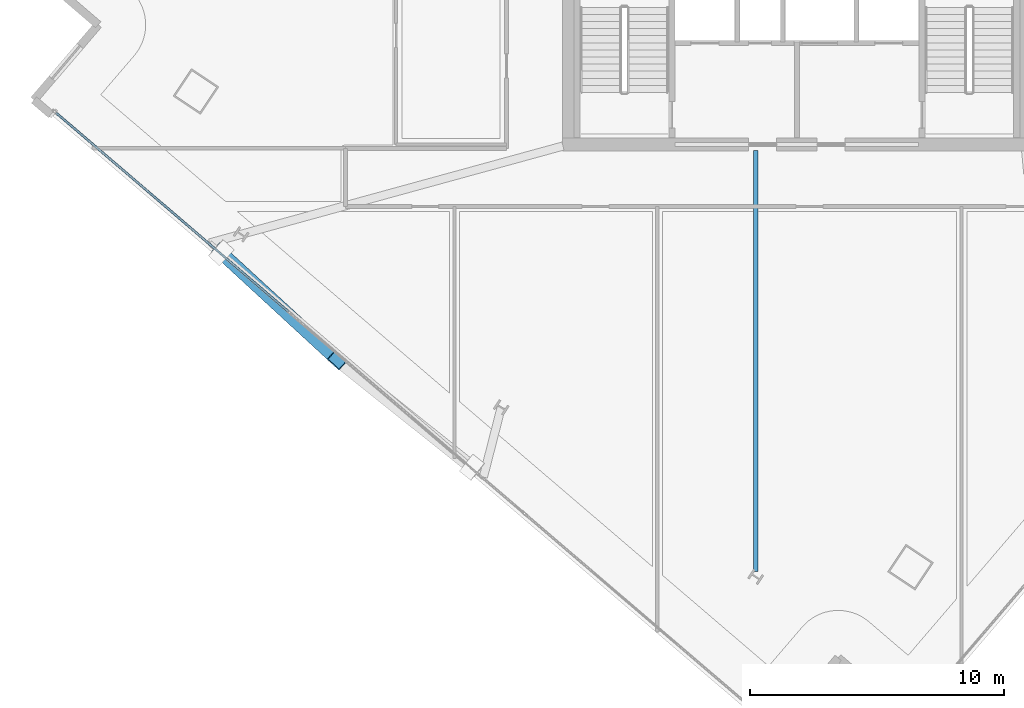
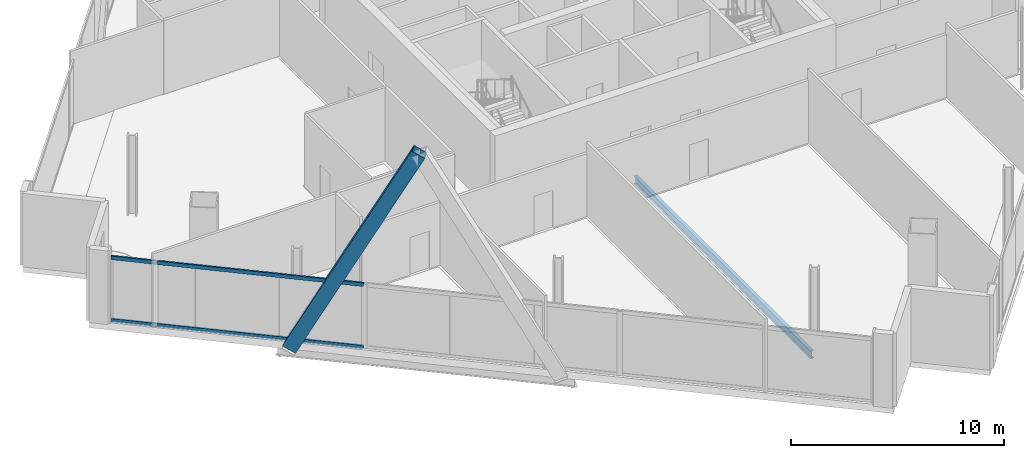
# One storey, part 3 of 26: 3 members, 1 beam, 1 element without a shape of its own.
"""IFC4 building model written with IfcOpenShell, lengths in metres."""

from ifc_helpers import new_model, si_unit, direction, frame, origin, origin_2d, place, context, subcontext, project, spatial, hollow_rectangle, i_section, extrude, material, material_profile, profile_set, type_object, element, aggregate, save


model = new_model("IFC4")

# Units and contexts
model_context = context("Model", 3, precision=1e-05, world=origin(), true_north=direction((0.0, 1.0)))
body_context = subcontext(model_context, "Body", "Model", "MODEL_VIEW")
ifc_project = project(units=[si_unit("LENGTHUNIT", "METRE"), si_unit("AREAUNIT", "SQUARE_METRE"), si_unit("VOLUMEUNIT", "CUBIC_METRE"), si_unit("PLANEANGLEUNIT", "RADIAN"), si_unit("MASSUNIT", "GRAM", prefix="KILO")], contexts=[model_context])

# Site, building, storey
site_placement = place(None, origin())
site = spatial("IfcSite", under=ifc_project, at=site_placement, CompositionType="ELEMENT")
building_placement = place(site_placement, origin())
building = spatial("IfcBuilding", under=site, at=building_placement, Name="Haldenkirk Collegiate Tower", CompositionType="ELEMENT")
storey_placement = place(building_placement, frame((0.0, 0.0, 193.949951171875)))
storey = spatial("IfcBuildingStorey", under=building, at=storey_placement, Name="L48", CompositionType="ELEMENT", Elevation=193.949951171875)

# Beam
ifc_material_1 = material(Name="Steel ASTM A992 Grade 50", Category="steel")
ifc_material_profile_1 = material_profile(ifc_material_1, i_section(OverallWidth=0.18994140625, OverallDepth=0.45703125, WebThickness=0.009033203125, FlangeThickness=0.014404296875, at=origin_2d()), Name="W18X50")
ifc_profile_set_1 = profile_set([ifc_material_profile_1], Name="Steel ASTM A992 Grade 50")
beam_type = type_object("IfcBeamType", Name="BM-JOIST-W18X50", PredefinedType="JOIST", material=ifc_profile_set_1)
beam_placement = place(storey_placement, frame((34.376708984375, 1.16943359375, -0.638427734375), z_axis=(0.0, 1.0, 0.0), x_axis=(-1.0, 0.0, 0.0)))
element("IfcBeam", 1, at=beam_placement, inside=storey, type_object=beam_type, Name="L48 composite floor joist 16", PredefinedType="JOIST", context=body_context, shape_type="SweptSolid", body=[
    extrude(i_section(OverallWidth=0.18994140625, OverallDepth=0.45703125, WebThickness=0.009033203125, FlangeThickness=0.014404296875, at=origin_2d()), origin(), (0.0, 0.0, 1.0), 16.6005859375),
])

# Curtain wall, members
ifc_material_2 = material(Name="Anodised architectural bronze aluminium", Category="aluminium")
curtain_wall_type = type_object("IfcCurtainWallType", Name="CW-SYS4-SKYGARDEN", PredefinedType="USERDEFINED", material=ifc_material_2)
curtain_wall_placement = place(storey_placement, origin())
curtain_wall = element("IfcCurtainWall", 2, at=curtain_wall_placement, inside=storey, type_object=curtain_wall_type, Name="L48 Sky-garden tall bronze curtain wall", ObjectType="UNITISED CURTAIN WALL", PredefinedType="USERDEFINED")
ifc_material_profile_2 = material_profile(ifc_material_2, hollow_rectangle(XDim=0.090087890625, YDim=0.2099609375, WallThickness=0.0048828125, at=origin_2d()), Name="CW-TRN-04")
ifc_profile_set_2 = profile_set([ifc_material_profile_2], Name="Anodised architectural bronze aluminium")
member_type_1 = type_object("IfcMemberType", Name="CW-TRN-04", PredefinedType="USERDEFINED", material=ifc_profile_set_2)
member_1_placement = place(storey_placement, frame((15.9541015625, 11.407470703125, 0.045166015625), z_axis=(-0.759833365393, 0.650117879184, 0.0), x_axis=(-0.650117879184, -0.759833365393, 0.0)))
member_1 = element("IfcMember", 3, at=member_1_placement, type_object=member_type_1, Name="CW-04 transom 3.1", ObjectType="TRANSOM", PredefinedType="USERDEFINED", context=body_context, shape_type="SweptSolid", body=[
    extrude(hollow_rectangle(XDim=0.090087890625, YDim=0.2099609375, WallThickness=0.0048828125, at=origin_2d()), origin(), (0.0, 0.0, 1.0), 12.065185546875),
])
member_2_placement = place(storey_placement, frame((15.9541015625, 11.407470703125, 3.633056640625), z_axis=(-0.759833365393, 0.650117879184, 0.0), x_axis=(-0.650117879184, -0.759833365393, 0.0)))
member_2 = element("IfcMember", 4, at=member_2_placement, type_object=member_type_1, Name="CW-04 transom 3.2", ObjectType="TRANSOM", PredefinedType="USERDEFINED", context=body_context, shape_type="SweptSolid", body=[
    extrude(hollow_rectangle(XDim=0.090087890625, YDim=0.2099609375, WallThickness=0.0048828125, at=origin_2d()), origin(), (0.0, 0.0, 1.0), 12.065185546875),
])
aggregate(curtain_wall, [member_1, member_2])

# Member
ifc_material_3 = material(Name="Steel ASTM A572 Grade 50", Category="steel")
ifc_material_profile_3 = material_profile(ifc_material_3, hollow_rectangle(XDim=0.52001953125, YDim=0.719970703125, WallThickness=0.035888671875, at=origin_2d()), Name="BOX720X520X36")
ifc_profile_set_3 = profile_set([ifc_material_profile_3], Name="Steel ASTM A572 Grade 50")
member_type_2 = type_object("IfcMemberType", Name="MBR-MEGABRACE-BOX720X520X36", PredefinedType="BRACE", material=ifc_profile_set_3)
member_3_placement = place(storey_placement, frame((13.304443359375, 13.72705078125, -0.419921875), z_axis=(0.335975181367, -0.309385800407, 0.889607275157), x_axis=(0.677398724588, 0.73561604654, 0.0)))
element("IfcMember", 5, at=member_3_placement, inside=storey, type_object=member_type_2, Name="Perimeter Mega Brace Z4 L48-L50 WL", PredefinedType="BRACE", context=body_context, shape_type="SweptSolid", body=[
    extrude(hollow_rectangle(XDim=0.52001953125, YDim=0.719970703125, WallThickness=0.035888671875, at=origin_2d()), origin(), (0.0, 0.0, 1.0), 13.635009765625),
])

save(model, "model.ifc")
